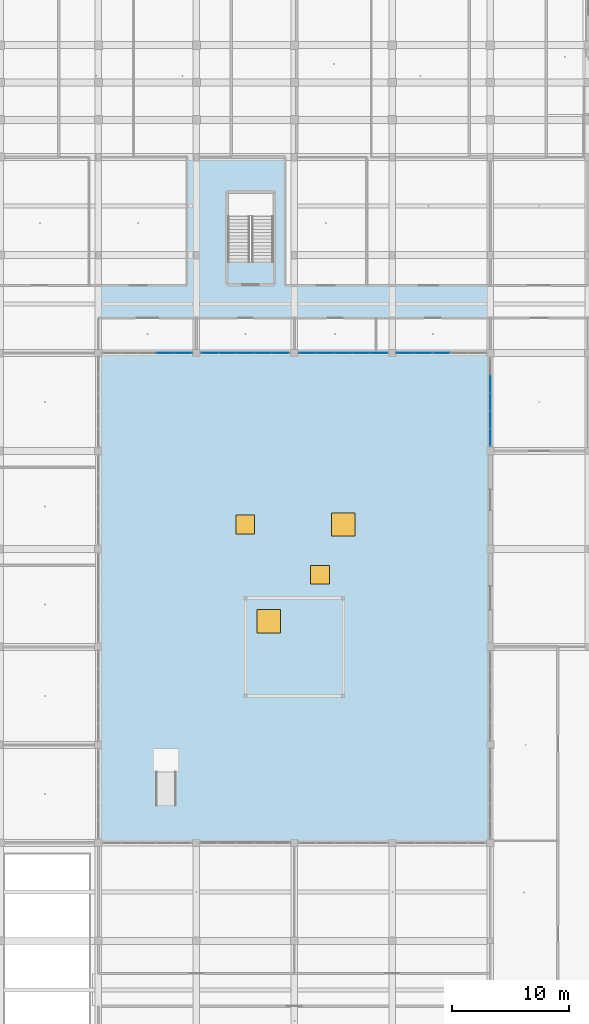
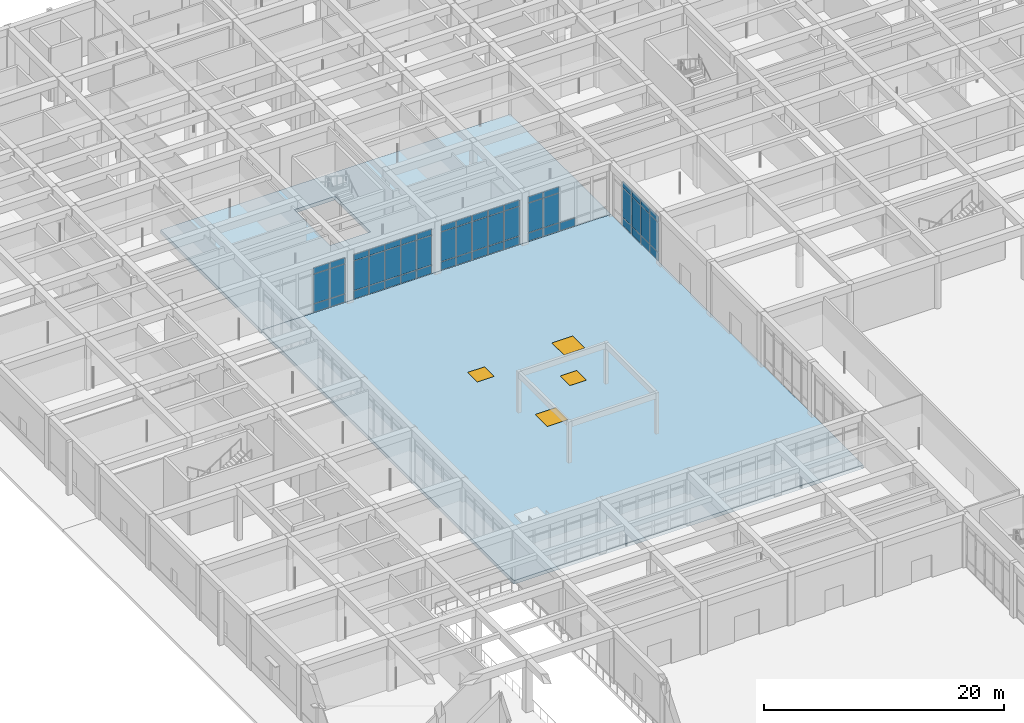
# One storey, part 51 of 167: 55 plates, 4 windows, 2 slabs, 4 openings, 5 elements without a shape of their own.
"""IFC4 building model written with IfcOpenShell, lengths in metres."""

from ifc_helpers import new_model, si_unit, direction, frame, origin, origin_2d, place, context, subcontext, project, spatial, polyline, rectangle, outline, extrude, material, layer, layer_set, type_object, element, fill, aggregate, save


model = new_model("IFC4")

# Units and contexts
model_context = context("Model", 3, precision=1e-05, world=origin(), true_north=direction((0.0, 1.0)))
body_context = subcontext(model_context, "Body", "Model", "MODEL_VIEW")
ifc_project = project(units=[si_unit("LENGTHUNIT", "METRE"), si_unit("AREAUNIT", "SQUARE_METRE"), si_unit("VOLUMEUNIT", "CUBIC_METRE"), si_unit("PLANEANGLEUNIT", "RADIAN"), si_unit("MASSUNIT", "GRAM", prefix="KILO")], contexts=[model_context])

# Site, building, storey
site_placement = place(None, origin())
site = spatial("IfcSite", under=ifc_project, at=site_placement, CompositionType="ELEMENT")
building_placement = place(site_placement, origin())
building = spatial("IfcBuilding", under=site, at=building_placement, Name="Varncliffe General Hospital", CompositionType="ELEMENT")
storey_placement = place(building_placement, origin())
storey = spatial("IfcBuildingStorey", under=building, at=storey_placement, Name="L00", CompositionType="ELEMENT", Elevation=0.0)

# Curtain wall, plates
ifc_material_1 = material(Name="Triple low-E argon insulated vision glazing", Category="glass")
curtain_wall_type_1 = type_object("IfcCurtainWallType", Name="Unitised Glazed Curtain Wall CW26 (7594x4640)", PredefinedType="USERDEFINED", material=ifc_material_1)
curtain_wall_1_placement = place(storey_placement, origin())
curtain_wall_1 = element("IfcCurtainWall", 1, at=curtain_wall_1_placement, inside=storey, type_object=curtain_wall_type_1, Name="L00 Glazed Curtain Wall CW26-23", ObjectType="GLAZED CURTAIN WALL", PredefinedType="USERDEFINED")
ifc_layer_1 = layer(ifc_material_1, 0.0439453125)
ifc_layer_set_1 = layer_set([ifc_layer_1], Name="Triple low-E argon insulated vision glazing")
plate_type_1 = type_object("IfcPlateType", Name="Curtain Wall Glazing Panel CP12 (44mm)", PredefinedType="CURTAIN_PANEL", material=ifc_layer_set_1)
plate_1_placement = place(storey_placement, frame((58.800048828125, 75.57861328125, 0.06005859375), z_axis=(0.0, 0.0, 1.0), x_axis=(0.0, 1.0, 0.0)))
plate_1 = element("IfcPlate", 2, at=plate_1_placement, type_object=plate_type_1, Name="CW26 panel 1.1", PredefinedType="CURTAIN_PANEL", context=body_context, shape_type="SweptSolid", body=[
    extrude(rectangle(XDim=1.42138671875, YDim=0.0439453125, at=origin_2d()), origin(), (0.0, 0.0, 1.0), 0.81005859375),
])
plate_2_placement = place(storey_placement, frame((58.800048828125, 75.57861328125, 0.929931640625), z_axis=(0.0, 0.0, 1.0), x_axis=(0.0, 1.0, 0.0)))
plate_2 = element("IfcPlate", 3, at=plate_2_placement, type_object=plate_type_1, Name="CW26 panel 1.2", PredefinedType="CURTAIN_PANEL", context=body_context, shape_type="SweptSolid", body=[
    extrude(rectangle(XDim=1.42138671875, YDim=0.0439453125, at=origin_2d()), origin(), (0.0, 0.0, 1.0), 2.97998046875),
])
plate_3_placement = place(storey_placement, frame((58.800048828125, 75.57861328125, 3.9697265625), z_axis=(0.0, 0.0, 1.0), x_axis=(0.0, 1.0, 0.0)))
plate_3 = element("IfcPlate", 4, at=plate_3_placement, type_object=plate_type_1, Name="CW26 panel 1.3", PredefinedType="CURTAIN_PANEL", context=body_context, shape_type="SweptSolid", body=[
    extrude(rectangle(XDim=1.42138671875, YDim=0.0439453125, at=origin_2d()), origin(), (0.0, 0.0, 1.0), 0.610107421875),
])
plate_4_placement = place(storey_placement, frame((58.800048828125, 77.081298828125, 0.06005859375), z_axis=(0.0, 0.0, 1.0), x_axis=(0.0, 1.0, 0.0)))
plate_4 = element("IfcPlate", 5, at=plate_4_placement, type_object=plate_type_1, Name="CW26 panel 2.1", PredefinedType="CURTAIN_PANEL", context=body_context, shape_type="SweptSolid", body=[
    extrude(rectangle(XDim=1.453857421875, YDim=0.0439453125, at=origin_2d()), origin(), (0.0, 0.0, 1.0), 0.81005859375),
])
plate_5_placement = place(storey_placement, frame((58.800048828125, 77.081298828125, 0.929931640625), z_axis=(0.0, 0.0, 1.0), x_axis=(0.0, 1.0, 0.0)))
plate_5 = element("IfcPlate", 6, at=plate_5_placement, type_object=plate_type_1, Name="CW26 panel 2.2", PredefinedType="CURTAIN_PANEL", context=body_context, shape_type="SweptSolid", body=[
    extrude(rectangle(XDim=1.453857421875, YDim=0.0439453125, at=origin_2d()), origin(), (0.0, 0.0, 1.0), 2.97998046875),
])
plate_6_placement = place(storey_placement, frame((58.800048828125, 77.081298828125, 3.9697265625), z_axis=(0.0, 0.0, 1.0), x_axis=(0.0, 1.0, 0.0)))
plate_6 = element("IfcPlate", 7, at=plate_6_placement, type_object=plate_type_1, Name="CW26 panel 2.3", PredefinedType="CURTAIN_PANEL", context=body_context, shape_type="SweptSolid", body=[
    extrude(rectangle(XDim=1.453857421875, YDim=0.0439453125, at=origin_2d()), origin(), (0.0, 0.0, 1.0), 0.610107421875),
])
plate_7_placement = place(storey_placement, frame((58.800048828125, 78.60009765625, 0.06005859375), z_axis=(0.0, 0.0, 1.0), x_axis=(0.0, 1.0, 0.0)))
plate_7 = element("IfcPlate", 8, at=plate_7_placement, type_object=plate_type_1, Name="CW26 panel 3.1", PredefinedType="CURTAIN_PANEL", context=body_context, shape_type="SweptSolid", body=[
    extrude(rectangle(XDim=1.453857421875, YDim=0.0439453125, at=origin_2d()), origin(), (0.0, 0.0, 1.0), 0.81005859375),
])
plate_8_placement = place(storey_placement, frame((58.800048828125, 78.60009765625, 0.929931640625), z_axis=(0.0, 0.0, 1.0), x_axis=(0.0, 1.0, 0.0)))
plate_8 = element("IfcPlate", 9, at=plate_8_placement, type_object=plate_type_1, Name="CW26 panel 3.2", PredefinedType="CURTAIN_PANEL", context=body_context, shape_type="SweptSolid", body=[
    extrude(rectangle(XDim=1.453857421875, YDim=0.0439453125, at=origin_2d()), origin(), (0.0, 0.0, 1.0), 2.97998046875),
])
plate_9_placement = place(storey_placement, frame((58.800048828125, 78.60009765625, 3.9697265625), z_axis=(0.0, 0.0, 1.0), x_axis=(0.0, 1.0, 0.0)))
plate_9 = element("IfcPlate", 10, at=plate_9_placement, type_object=plate_type_1, Name="CW26 panel 3.3", PredefinedType="CURTAIN_PANEL", context=body_context, shape_type="SweptSolid", body=[
    extrude(rectangle(XDim=1.453857421875, YDim=0.0439453125, at=origin_2d()), origin(), (0.0, 0.0, 1.0), 0.610107421875),
])
plate_10_placement = place(storey_placement, frame((58.800048828125, 80.118896484375, 0.06005859375), z_axis=(0.0, 0.0, 1.0), x_axis=(0.0, 1.0, 0.0)))
plate_10 = element("IfcPlate", 11, at=plate_10_placement, type_object=plate_type_1, Name="CW26 panel 4.1", PredefinedType="CURTAIN_PANEL", context=body_context, shape_type="SweptSolid", body=[
    extrude(rectangle(XDim=1.453857421875, YDim=0.0439453125, at=origin_2d()), origin(), (0.0, 0.0, 1.0), 0.81005859375),
])
plate_11_placement = place(storey_placement, frame((58.800048828125, 80.118896484375, 0.929931640625), z_axis=(0.0, 0.0, 1.0), x_axis=(0.0, 1.0, 0.0)))
plate_11 = element("IfcPlate", 12, at=plate_11_placement, type_object=plate_type_1, Name="CW26 panel 4.2", PredefinedType="CURTAIN_PANEL", context=body_context, shape_type="SweptSolid", body=[
    extrude(rectangle(XDim=1.453857421875, YDim=0.0439453125, at=origin_2d()), origin(), (0.0, 0.0, 1.0), 2.97998046875),
])
plate_12_placement = place(storey_placement, frame((58.800048828125, 80.118896484375, 3.9697265625), z_axis=(0.0, 0.0, 1.0), x_axis=(0.0, 1.0, 0.0)))
plate_12 = element("IfcPlate", 13, at=plate_12_placement, type_object=plate_type_1, Name="CW26 panel 4.3", PredefinedType="CURTAIN_PANEL", context=body_context, shape_type="SweptSolid", body=[
    extrude(rectangle(XDim=1.453857421875, YDim=0.0439453125, at=origin_2d()), origin(), (0.0, 0.0, 1.0), 0.610107421875),
])
aggregate(curtain_wall_1, [plate_1, plate_2, plate_3, plate_4, plate_5, plate_6, plate_7, plate_8, plate_9, plate_10, plate_11, plate_12])

curtain_wall_2_placement = place(storey_placement, origin())
curtain_wall_2 = element("IfcCurtainWall", 14, at=curtain_wall_2_placement, inside=storey, type_object=curtain_wall_type_1, Name="L00 Glazed Curtain Wall CW26-26", ObjectType="GLAZED CURTAIN WALL", PredefinedType="USERDEFINED")
plate_13_placement = place(storey_placement, frame((40.8212890625, 82.800048828125, 0.06005859375), z_axis=(0.0, 0.0, 1.0), x_axis=(-1.0, 0.0, 0.0)))
plate_13 = element("IfcPlate", 15, at=plate_13_placement, type_object=plate_type_1, Name="CW26 panel 1.1", PredefinedType="CURTAIN_PANEL", context=body_context, shape_type="SweptSolid", body=[
    extrude(rectangle(XDim=1.42138671875, YDim=0.0439453125, at=origin_2d()), origin(), (0.0, 0.0, 1.0), 0.81005859375),
])
plate_14_placement = place(storey_placement, frame((40.8212890625, 82.800048828125, 0.929931640625), z_axis=(0.0, 0.0, 1.0), x_axis=(-1.0, 0.0, 0.0)))
plate_14 = element("IfcPlate", 16, at=plate_14_placement, type_object=plate_type_1, Name="CW26 panel 1.2", PredefinedType="CURTAIN_PANEL", context=body_context, shape_type="SweptSolid", body=[
    extrude(rectangle(XDim=1.42138671875, YDim=0.0439453125, at=origin_2d()), origin(), (0.0, 0.0, 1.0), 2.97998046875),
])
plate_15_placement = place(storey_placement, frame((40.8212890625, 82.800048828125, 3.9697265625), z_axis=(0.0, 0.0, 1.0), x_axis=(-1.0, 0.0, 0.0)))
plate_15 = element("IfcPlate", 17, at=plate_15_placement, type_object=plate_type_1, Name="CW26 panel 1.3", PredefinedType="CURTAIN_PANEL", context=body_context, shape_type="SweptSolid", body=[
    extrude(rectangle(XDim=1.42138671875, YDim=0.0439453125, at=origin_2d()), origin(), (0.0, 0.0, 1.0), 0.610107421875),
])
plate_16_placement = place(storey_placement, frame((39.31884765625, 82.800048828125, 0.06005859375), z_axis=(0.0, 0.0, 1.0), x_axis=(-1.0, 0.0, 0.0)))
plate_16 = element("IfcPlate", 18, at=plate_16_placement, type_object=plate_type_1, Name="CW26 panel 2.1", PredefinedType="CURTAIN_PANEL", context=body_context, shape_type="SweptSolid", body=[
    extrude(rectangle(XDim=1.453857421875, YDim=0.0439453125, at=origin_2d()), origin(), (0.0, 0.0, 1.0), 0.81005859375),
])
plate_17_placement = place(storey_placement, frame((39.31884765625, 82.800048828125, 0.929931640625), z_axis=(0.0, 0.0, 1.0), x_axis=(-1.0, 0.0, 0.0)))
plate_17 = element("IfcPlate", 19, at=plate_17_placement, type_object=plate_type_1, Name="CW26 panel 2.2", PredefinedType="CURTAIN_PANEL", context=body_context, shape_type="SweptSolid", body=[
    extrude(rectangle(XDim=1.453857421875, YDim=0.0439453125, at=origin_2d()), origin(), (0.0, 0.0, 1.0), 2.97998046875),
])
plate_18_placement = place(storey_placement, frame((39.31884765625, 82.800048828125, 3.9697265625), z_axis=(0.0, 0.0, 1.0), x_axis=(-1.0, 0.0, 0.0)))
plate_18 = element("IfcPlate", 20, at=plate_18_placement, type_object=plate_type_1, Name="CW26 panel 2.3", PredefinedType="CURTAIN_PANEL", context=body_context, shape_type="SweptSolid", body=[
    extrude(rectangle(XDim=1.453857421875, YDim=0.0439453125, at=origin_2d()), origin(), (0.0, 0.0, 1.0), 0.610107421875),
])
plate_19_placement = place(storey_placement, frame((37.800048828125, 82.800048828125, 0.06005859375), z_axis=(0.0, 0.0, 1.0), x_axis=(-1.0, 0.0, 0.0)))
plate_19 = element("IfcPlate", 21, at=plate_19_placement, type_object=plate_type_1, Name="CW26 panel 3.1", PredefinedType="CURTAIN_PANEL", context=body_context, shape_type="SweptSolid", body=[
    extrude(rectangle(XDim=1.453857421875, YDim=0.0439453125, at=origin_2d()), origin(), (0.0, 0.0, 1.0), 0.81005859375),
])
plate_20_placement = place(storey_placement, frame((37.800048828125, 82.800048828125, 0.929931640625), z_axis=(0.0, 0.0, 1.0), x_axis=(-1.0, 0.0, 0.0)))
plate_20 = element("IfcPlate", 22, at=plate_20_placement, type_object=plate_type_1, Name="CW26 panel 3.2", PredefinedType="CURTAIN_PANEL", context=body_context, shape_type="SweptSolid", body=[
    extrude(rectangle(XDim=1.453857421875, YDim=0.0439453125, at=origin_2d()), origin(), (0.0, 0.0, 1.0), 2.97998046875),
])
plate_21_placement = place(storey_placement, frame((37.800048828125, 82.800048828125, 3.9697265625), z_axis=(0.0, 0.0, 1.0), x_axis=(-1.0, 0.0, 0.0)))
plate_21 = element("IfcPlate", 23, at=plate_21_placement, type_object=plate_type_1, Name="CW26 panel 3.3", PredefinedType="CURTAIN_PANEL", context=body_context, shape_type="SweptSolid", body=[
    extrude(rectangle(XDim=1.453857421875, YDim=0.0439453125, at=origin_2d()), origin(), (0.0, 0.0, 1.0), 0.610107421875),
])
plate_22_placement = place(storey_placement, frame((36.28125, 82.800048828125, 0.06005859375), z_axis=(0.0, 0.0, 1.0), x_axis=(-1.0, 0.0, 0.0)))
plate_22 = element("IfcPlate", 24, at=plate_22_placement, type_object=plate_type_1, Name="CW26 panel 4.1", PredefinedType="CURTAIN_PANEL", context=body_context, shape_type="SweptSolid", body=[
    extrude(rectangle(XDim=1.453857421875, YDim=0.0439453125, at=origin_2d()), origin(), (0.0, 0.0, 1.0), 0.81005859375),
])
plate_23_placement = place(storey_placement, frame((36.28125, 82.800048828125, 0.929931640625), z_axis=(0.0, 0.0, 1.0), x_axis=(-1.0, 0.0, 0.0)))
plate_23 = element("IfcPlate", 25, at=plate_23_placement, type_object=plate_type_1, Name="CW26 panel 4.2", PredefinedType="CURTAIN_PANEL", context=body_context, shape_type="SweptSolid", body=[
    extrude(rectangle(XDim=1.453857421875, YDim=0.0439453125, at=origin_2d()), origin(), (0.0, 0.0, 1.0), 2.97998046875),
])
plate_24_placement = place(storey_placement, frame((36.28125, 82.800048828125, 3.9697265625), z_axis=(0.0, 0.0, 1.0), x_axis=(-1.0, 0.0, 0.0)))
plate_24 = element("IfcPlate", 26, at=plate_24_placement, type_object=plate_type_1, Name="CW26 panel 4.3", PredefinedType="CURTAIN_PANEL", context=body_context, shape_type="SweptSolid", body=[
    extrude(rectangle(XDim=1.453857421875, YDim=0.0439453125, at=origin_2d()), origin(), (0.0, 0.0, 1.0), 0.610107421875),
])
plate_25_placement = place(storey_placement, frame((34.778564453125, 82.800048828125, 0.06005859375), z_axis=(0.0, 0.0, 1.0), x_axis=(-1.0, 0.0, 0.0)))
plate_25 = element("IfcPlate", 27, at=plate_25_placement, type_object=plate_type_1, Name="CW26 panel 5.1", PredefinedType="CURTAIN_PANEL", context=body_context, shape_type="SweptSolid", body=[
    extrude(rectangle(XDim=1.42138671875, YDim=0.0439453125, at=origin_2d()), origin(), (0.0, 0.0, 1.0), 0.81005859375),
])
plate_26_placement = place(storey_placement, frame((34.778564453125, 82.800048828125, 0.929931640625), z_axis=(0.0, 0.0, 1.0), x_axis=(-1.0, 0.0, 0.0)))
plate_26 = element("IfcPlate", 28, at=plate_26_placement, type_object=plate_type_1, Name="CW26 panel 5.2", PredefinedType="CURTAIN_PANEL", context=body_context, shape_type="SweptSolid", body=[
    extrude(rectangle(XDim=1.42138671875, YDim=0.0439453125, at=origin_2d()), origin(), (0.0, 0.0, 1.0), 2.97998046875),
])
plate_27_placement = place(storey_placement, frame((34.778564453125, 82.800048828125, 3.9697265625), z_axis=(0.0, 0.0, 1.0), x_axis=(-1.0, 0.0, 0.0)))
plate_27 = element("IfcPlate", 29, at=plate_27_placement, type_object=plate_type_1, Name="CW26 panel 5.3", PredefinedType="CURTAIN_PANEL", context=body_context, shape_type="SweptSolid", body=[
    extrude(rectangle(XDim=1.42138671875, YDim=0.0439453125, at=origin_2d()), origin(), (0.0, 0.0, 1.0), 0.610107421875),
])
aggregate(curtain_wall_2, [plate_13, plate_14, plate_15, plate_16, plate_17, plate_18, plate_19, plate_20, plate_21, plate_22, plate_23, plate_24, plate_25, plate_26, plate_27])

curtain_wall_type_2 = type_object("IfcCurtainWallType", Name="Unitised Glazed Curtain Wall CW15 (7674x4640)", PredefinedType="USERDEFINED", material=ifc_material_1)
curtain_wall_3_placement = place(storey_placement, origin())
curtain_wall_3 = element("IfcCurtainWall", 30, at=curtain_wall_3_placement, inside=storey, type_object=curtain_wall_type_2, Name="L00 Glazed Curtain Wall CW15-25", ObjectType="GLAZED CURTAIN WALL", PredefinedType="USERDEFINED")
ifc_layer_2 = layer(ifc_material_1, 0.035888671875)
ifc_layer_set_2 = layer_set([ifc_layer_2], Name="Triple low-E argon insulated vision glazing")
plate_type_2 = type_object("IfcPlateType", Name="Curtain Wall Glazing Panel CP27 (36mm)", PredefinedType="CURTAIN_PANEL", material=ifc_layer_set_2)
plate_28_placement = place(storey_placement, frame((49.250732421875, 82.800048828125, 0.06005859375), z_axis=(0.0, 0.0, 1.0), x_axis=(-1.0, 0.0, 0.0)))
plate_28 = element("IfcPlate", 31, at=plate_28_placement, type_object=plate_type_2, Name="CW15 panel 1.1", PredefinedType="CURTAIN_PANEL", context=body_context, shape_type="SweptSolid", body=[
    extrude(rectangle(XDim=1.42236328125, YDim=0.035888671875, at=origin_2d()), origin(), (0.0, 0.0, 1.0), 0.81005859375),
])
plate_29_placement = place(storey_placement, frame((49.250732421875, 82.800048828125, 0.929931640625), z_axis=(0.0, 0.0, 1.0), x_axis=(-1.0, 0.0, 0.0)))
plate_29 = element("IfcPlate", 32, at=plate_29_placement, type_object=plate_type_2, Name="CW15 panel 1.2", PredefinedType="CURTAIN_PANEL", context=body_context, shape_type="SweptSolid", body=[
    extrude(rectangle(XDim=1.42236328125, YDim=0.035888671875, at=origin_2d()), origin(), (0.0, 0.0, 1.0), 2.97998046875),
])
plate_30_placement = place(storey_placement, frame((49.250732421875, 82.800048828125, 3.9697265625), z_axis=(0.0, 0.0, 1.0), x_axis=(-1.0, 0.0, 0.0)))
plate_30 = element("IfcPlate", 33, at=plate_30_placement, type_object=plate_type_2, Name="CW15 panel 1.3", PredefinedType="CURTAIN_PANEL", context=body_context, shape_type="SweptSolid", body=[
    extrude(rectangle(XDim=1.42236328125, YDim=0.035888671875, at=origin_2d()), origin(), (0.0, 0.0, 1.0), 0.610107421875),
])
plate_31_placement = place(storey_placement, frame((47.73486328125, 82.800048828125, 0.06005859375), z_axis=(0.0, 0.0, 1.0), x_axis=(-1.0, 0.0, 0.0)))
plate_31 = element("IfcPlate", 34, at=plate_31_placement, type_object=plate_type_2, Name="CW15 panel 2.1", PredefinedType="CURTAIN_PANEL", context=body_context, shape_type="SweptSolid", body=[
    extrude(rectangle(XDim=1.459716796875, YDim=0.035888671875, at=origin_2d()), origin(), (0.0, 0.0, 1.0), 0.81005859375),
])
plate_32_placement = place(storey_placement, frame((47.73486328125, 82.800048828125, 0.929931640625), z_axis=(0.0, 0.0, 1.0), x_axis=(-1.0, 0.0, 0.0)))
plate_32 = element("IfcPlate", 35, at=plate_32_placement, type_object=plate_type_2, Name="CW15 panel 2.2", PredefinedType="CURTAIN_PANEL", context=body_context, shape_type="SweptSolid", body=[
    extrude(rectangle(XDim=1.459716796875, YDim=0.035888671875, at=origin_2d()), origin(), (0.0, 0.0, 1.0), 2.97998046875),
])
plate_33_placement = place(storey_placement, frame((47.73486328125, 82.800048828125, 3.9697265625), z_axis=(0.0, 0.0, 1.0), x_axis=(-1.0, 0.0, 0.0)))
plate_33 = element("IfcPlate", 36, at=plate_33_placement, type_object=plate_type_2, Name="CW15 panel 2.3", PredefinedType="CURTAIN_PANEL", context=body_context, shape_type="SweptSolid", body=[
    extrude(rectangle(XDim=1.459716796875, YDim=0.035888671875, at=origin_2d()), origin(), (0.0, 0.0, 1.0), 0.610107421875),
])
plate_34_placement = place(storey_placement, frame((46.199951171875, 82.800048828125, 0.06005859375), z_axis=(0.0, 0.0, 1.0), x_axis=(-1.0, 0.0, 0.0)))
plate_34 = element("IfcPlate", 37, at=plate_34_placement, type_object=plate_type_2, Name="CW15 panel 3.1", PredefinedType="CURTAIN_PANEL", context=body_context, shape_type="SweptSolid", body=[
    extrude(rectangle(XDim=1.459716796875, YDim=0.035888671875, at=origin_2d()), origin(), (0.0, 0.0, 1.0), 0.81005859375),
])
plate_35_placement = place(storey_placement, frame((46.199951171875, 82.800048828125, 0.929931640625), z_axis=(0.0, 0.0, 1.0), x_axis=(-1.0, 0.0, 0.0)))
plate_35 = element("IfcPlate", 38, at=plate_35_placement, type_object=plate_type_2, Name="CW15 panel 3.2", PredefinedType="CURTAIN_PANEL", context=body_context, shape_type="SweptSolid", body=[
    extrude(rectangle(XDim=1.459716796875, YDim=0.035888671875, at=origin_2d()), origin(), (0.0, 0.0, 1.0), 2.97998046875),
])
plate_36_placement = place(storey_placement, frame((46.199951171875, 82.800048828125, 3.9697265625), z_axis=(0.0, 0.0, 1.0), x_axis=(-1.0, 0.0, 0.0)))
plate_36 = element("IfcPlate", 39, at=plate_36_placement, type_object=plate_type_2, Name="CW15 panel 3.3", PredefinedType="CURTAIN_PANEL", context=body_context, shape_type="SweptSolid", body=[
    extrude(rectangle(XDim=1.459716796875, YDim=0.035888671875, at=origin_2d()), origin(), (0.0, 0.0, 1.0), 0.610107421875),
])
plate_37_placement = place(storey_placement, frame((44.665283203125, 82.800048828125, 0.06005859375), z_axis=(0.0, 0.0, 1.0), x_axis=(-1.0, 0.0, 0.0)))
plate_37 = element("IfcPlate", 40, at=plate_37_placement, type_object=plate_type_2, Name="CW15 panel 4.1", PredefinedType="CURTAIN_PANEL", context=body_context, shape_type="SweptSolid", body=[
    extrude(rectangle(XDim=1.459716796875, YDim=0.035888671875, at=origin_2d()), origin(), (0.0, 0.0, 1.0), 0.81005859375),
])
plate_38_placement = place(storey_placement, frame((44.665283203125, 82.800048828125, 0.929931640625), z_axis=(0.0, 0.0, 1.0), x_axis=(-1.0, 0.0, 0.0)))
plate_38 = element("IfcPlate", 41, at=plate_38_placement, type_object=plate_type_2, Name="CW15 panel 4.2", PredefinedType="CURTAIN_PANEL", context=body_context, shape_type="SweptSolid", body=[
    extrude(rectangle(XDim=1.459716796875, YDim=0.035888671875, at=origin_2d()), origin(), (0.0, 0.0, 1.0), 2.97998046875),
])
plate_39_placement = place(storey_placement, frame((44.665283203125, 82.800048828125, 3.9697265625), z_axis=(0.0, 0.0, 1.0), x_axis=(-1.0, 0.0, 0.0)))
plate_39 = element("IfcPlate", 42, at=plate_39_placement, type_object=plate_type_2, Name="CW15 panel 4.3", PredefinedType="CURTAIN_PANEL", context=body_context, shape_type="SweptSolid", body=[
    extrude(rectangle(XDim=1.459716796875, YDim=0.035888671875, at=origin_2d()), origin(), (0.0, 0.0, 1.0), 0.610107421875),
])
plate_40_placement = place(storey_placement, frame((43.149169921875, 82.800048828125, 0.06005859375), z_axis=(0.0, 0.0, 1.0), x_axis=(-1.0, 0.0, 0.0)))
plate_40 = element("IfcPlate", 43, at=plate_40_placement, type_object=plate_type_2, Name="CW15 panel 5.1", PredefinedType="CURTAIN_PANEL", context=body_context, shape_type="SweptSolid", body=[
    extrude(rectangle(XDim=1.42236328125, YDim=0.035888671875, at=origin_2d()), origin(), (0.0, 0.0, 1.0), 0.81005859375),
])
plate_41_placement = place(storey_placement, frame((43.149169921875, 82.800048828125, 0.929931640625), z_axis=(0.0, 0.0, 1.0), x_axis=(-1.0, 0.0, 0.0)))
plate_41 = element("IfcPlate", 44, at=plate_41_placement, type_object=plate_type_2, Name="CW15 panel 5.2", PredefinedType="CURTAIN_PANEL", context=body_context, shape_type="SweptSolid", body=[
    extrude(rectangle(XDim=1.42236328125, YDim=0.035888671875, at=origin_2d()), origin(), (0.0, 0.0, 1.0), 2.97998046875),
])
plate_42_placement = place(storey_placement, frame((43.149169921875, 82.800048828125, 3.9697265625), z_axis=(0.0, 0.0, 1.0), x_axis=(-1.0, 0.0, 0.0)))
plate_42 = element("IfcPlate", 45, at=plate_42_placement, type_object=plate_type_2, Name="CW15 panel 5.3", PredefinedType="CURTAIN_PANEL", context=body_context, shape_type="SweptSolid", body=[
    extrude(rectangle(XDim=1.42236328125, YDim=0.035888671875, at=origin_2d()), origin(), (0.0, 0.0, 1.0), 0.610107421875),
])
aggregate(curtain_wall_3, [plate_28, plate_29, plate_30, plate_31, plate_32, plate_33, plate_34, plate_35, plate_36, plate_37, plate_38, plate_39, plate_40, plate_41, plate_42])

curtain_wall_type_3 = type_object("IfcCurtainWallType", Name="Unitised Glazed Curtain Wall CW66 (7754x4640)", PredefinedType="USERDEFINED", material=ifc_material_1)
curtain_wall_4_placement = place(storey_placement, origin())
curtain_wall_4 = element("IfcCurtainWall", 46, at=curtain_wall_4_placement, inside=storey, type_object=curtain_wall_type_3, Name="L00 Glazed Curtain Wall CW66-24", ObjectType="GLAZED CURTAIN WALL", PredefinedType="USERDEFINED")
ifc_layer_3 = layer(ifc_material_1, 0.028076171875)
ifc_layer_set_3 = layer_set([ifc_layer_3], Name="Triple low-E argon insulated vision glazing")
plate_type_3 = type_object("IfcPlateType", Name="Curtain Wall Glazing Panel CP48 (28mm)", PredefinedType="CURTAIN_PANEL", material=ifc_layer_set_3)
plate_43_placement = place(storey_placement, frame((54.60009765625, 82.800048828125, 0.06494140625), z_axis=(0.0, 0.0, 1.0), x_axis=(-1.0, 0.0, 0.0)))
plate_43 = element("IfcPlate", 47, at=plate_43_placement, type_object=plate_type_3, Name="CW66 panel 3.1", PredefinedType="CURTAIN_PANEL", context=body_context, shape_type="SweptSolid", body=[
    extrude(rectangle(XDim=1.475830078125, YDim=0.028076171875, at=origin_2d()), origin(), (0.0, 0.0, 1.0), 0.802490234375),
])
plate_44_placement = place(storey_placement, frame((53.04931640625, 82.800048828125, 0.06494140625), z_axis=(0.0, 0.0, 1.0), x_axis=(-1.0, 0.0, 0.0)))
plate_44 = element("IfcPlate", 48, at=plate_44_placement, type_object=plate_type_3, Name="CW66 panel 4.1", PredefinedType="CURTAIN_PANEL", context=body_context, shape_type="SweptSolid", body=[
    extrude(rectangle(XDim=1.475830078125, YDim=0.028076171875, at=origin_2d()), origin(), (0.0, 0.0, 1.0), 0.802490234375),
])
plate_45_placement = place(storey_placement, frame((53.04931640625, 82.800048828125, 0.932373046875), z_axis=(0.0, 0.0, 1.0), x_axis=(-1.0, 0.0, 0.0)))
plate_45 = element("IfcPlate", 49, at=plate_45_placement, type_object=plate_type_3, Name="CW66 panel 4.2", PredefinedType="CURTAIN_PANEL", context=body_context, shape_type="SweptSolid", body=[
    extrude(rectangle(XDim=1.475830078125, YDim=0.028076171875, at=origin_2d()), origin(), (0.0, 0.0, 1.0), 2.97509765625),
])
plate_46_placement = place(storey_placement, frame((53.04931640625, 82.800048828125, 3.972412109375), z_axis=(0.0, 0.0, 1.0), x_axis=(-1.0, 0.0, 0.0)))
plate_46 = element("IfcPlate", 50, at=plate_46_placement, type_object=plate_type_3, Name="CW66 panel 4.3", PredefinedType="CURTAIN_PANEL", context=body_context, shape_type="SweptSolid", body=[
    extrude(rectangle(XDim=1.475830078125, YDim=0.028076171875, at=origin_2d()), origin(), (0.0, 0.0, 1.0), 0.6025390625),
])
plate_47_placement = place(storey_placement, frame((51.51708984375, 82.800048828125, 0.06494140625), z_axis=(0.0, 0.0, 1.0), x_axis=(-1.0, 0.0, 0.0)))
plate_47 = element("IfcPlate", 51, at=plate_47_placement, type_object=plate_type_3, Name="CW66 panel 5.1", PredefinedType="CURTAIN_PANEL", context=body_context, shape_type="SweptSolid", body=[
    extrude(rectangle(XDim=1.438232421875, YDim=0.028076171875, at=origin_2d()), origin(), (0.0, 0.0, 1.0), 0.802490234375),
])
plate_48_placement = place(storey_placement, frame((51.51708984375, 82.800048828125, 0.932373046875), z_axis=(0.0, 0.0, 1.0), x_axis=(-1.0, 0.0, 0.0)))
plate_48 = element("IfcPlate", 52, at=plate_48_placement, type_object=plate_type_3, Name="CW66 panel 5.2", PredefinedType="CURTAIN_PANEL", context=body_context, shape_type="SweptSolid", body=[
    extrude(rectangle(XDim=1.438232421875, YDim=0.028076171875, at=origin_2d()), origin(), (0.0, 0.0, 1.0), 2.97509765625),
])
plate_49_placement = place(storey_placement, frame((51.51708984375, 82.800048828125, 3.972412109375), z_axis=(0.0, 0.0, 1.0), x_axis=(-1.0, 0.0, 0.0)))
plate_49 = element("IfcPlate", 53, at=plate_49_placement, type_object=plate_type_3, Name="CW66 panel 5.3", PredefinedType="CURTAIN_PANEL", context=body_context, shape_type="SweptSolid", body=[
    extrude(rectangle(XDim=1.438232421875, YDim=0.028076171875, at=origin_2d()), origin(), (0.0, 0.0, 1.0), 0.6025390625),
])
aggregate(curtain_wall_4, [plate_43, plate_44, plate_45, plate_46, plate_47, plate_48, plate_49])

curtain_wall_5_placement = place(storey_placement, origin())
curtain_wall_5 = element("IfcCurtainWall", 54, at=curtain_wall_5_placement, inside=storey, type_object=curtain_wall_type_3, Name="L00 Glazed Curtain Wall CW66-27", ObjectType="GLAZED CURTAIN WALL", PredefinedType="USERDEFINED")
plate_50_placement = place(storey_placement, frame((32.48291015625, 82.800048828125, 0.06494140625), z_axis=(0.0, 0.0, 1.0), x_axis=(-1.0, 0.0, 0.0)))
plate_50 = element("IfcPlate", 55, at=plate_50_placement, type_object=plate_type_3, Name="CW66 panel 1.1", PredefinedType="CURTAIN_PANEL", context=body_context, shape_type="SweptSolid", body=[
    extrude(rectangle(XDim=1.438232421875, YDim=0.028076171875, at=origin_2d()), origin(), (0.0, 0.0, 1.0), 0.802490234375),
])
plate_51_placement = place(storey_placement, frame((32.48291015625, 82.800048828125, 0.932373046875), z_axis=(0.0, 0.0, 1.0), x_axis=(-1.0, 0.0, 0.0)))
plate_51 = element("IfcPlate", 56, at=plate_51_placement, type_object=plate_type_3, Name="CW66 panel 1.2", PredefinedType="CURTAIN_PANEL", context=body_context, shape_type="SweptSolid", body=[
    extrude(rectangle(XDim=1.438232421875, YDim=0.028076171875, at=origin_2d()), origin(), (0.0, 0.0, 1.0), 2.97509765625),
])
plate_52_placement = place(storey_placement, frame((32.48291015625, 82.800048828125, 3.972412109375), z_axis=(0.0, 0.0, 1.0), x_axis=(-1.0, 0.0, 0.0)))
plate_52 = element("IfcPlate", 57, at=plate_52_placement, type_object=plate_type_3, Name="CW66 panel 1.3", PredefinedType="CURTAIN_PANEL", context=body_context, shape_type="SweptSolid", body=[
    extrude(rectangle(XDim=1.438232421875, YDim=0.028076171875, at=origin_2d()), origin(), (0.0, 0.0, 1.0), 0.6025390625),
])
plate_53_placement = place(storey_placement, frame((30.95068359375, 82.800048828125, 0.06494140625), z_axis=(0.0, 0.0, 1.0), x_axis=(-1.0, 0.0, 0.0)))
plate_53 = element("IfcPlate", 58, at=plate_53_placement, type_object=plate_type_3, Name="CW66 panel 2.1", PredefinedType="CURTAIN_PANEL", context=body_context, shape_type="SweptSolid", body=[
    extrude(rectangle(XDim=1.475830078125, YDim=0.028076171875, at=origin_2d()), origin(), (0.0, 0.0, 1.0), 0.802490234375),
])
plate_54_placement = place(storey_placement, frame((30.95068359375, 82.800048828125, 0.932373046875), z_axis=(0.0, 0.0, 1.0), x_axis=(-1.0, 0.0, 0.0)))
plate_54 = element("IfcPlate", 59, at=plate_54_placement, type_object=plate_type_3, Name="CW66 panel 2.2", PredefinedType="CURTAIN_PANEL", context=body_context, shape_type="SweptSolid", body=[
    extrude(rectangle(XDim=1.475830078125, YDim=0.028076171875, at=origin_2d()), origin(), (0.0, 0.0, 1.0), 2.97509765625),
])
plate_55_placement = place(storey_placement, frame((30.95068359375, 82.800048828125, 3.972412109375), z_axis=(0.0, 0.0, 1.0), x_axis=(-1.0, 0.0, 0.0)))
plate_55 = element("IfcPlate", 60, at=plate_55_placement, type_object=plate_type_3, Name="CW66 panel 2.3", PredefinedType="CURTAIN_PANEL", context=body_context, shape_type="SweptSolid", body=[
    extrude(rectangle(XDim=1.475830078125, YDim=0.028076171875, at=origin_2d()), origin(), (0.0, 0.0, 1.0), 0.6025390625),
])
aggregate(curtain_wall_5, [plate_50, plate_51, plate_52, plate_53, plate_54, plate_55])

# Slab, openings, windows
ifc_material_2 = material(Name="Concrete C35/45 (CSA A23.1 35 MPa)", Category="concrete")
ifc_layer_4 = layer(ifc_material_2, 0.360107421875)
ifc_layer_set_4 = layer_set([ifc_layer_4], Name="Concrete C35/45 (CSA A23.1 35 MPa)")
slab_type_1 = type_object("IfcSlabType", Name="Floor Slab SL17 (Ext 360mm)", PredefinedType="FLOOR", material=ifc_layer_set_4)
slab_1_placement = place(storey_placement, frame((0.0, 0.0, -0.360107421875)))
slab_1 = element("IfcSlab", 61, at=slab_1_placement, inside=storey, type_object=slab_type_1, Name="L00 West Healing Cloister Courtyard Deck", PredefinedType="FLOOR", context=body_context, shape_type="SweptSolid", body=[
    extrude(outline(polyline([(25.199951171875, 40.800048828125), (58.800048828125, 40.800048828125), (58.800048828125, 82.800048828125), (25.199951171875, 82.800048828125), (25.199951171875, 40.800048828125)])), origin(), (0.0, 0.0, 1.0), 0.360107421875),
])
opening_1_placement = place(slab_1_placement, frame((39.800048828125, 59.800048828125, 0.0)))
opening_1 = element("IfcOpeningElement", 62, at=opening_1_placement, cuts=slab_1, Name="Opening SK25", PredefinedType="OPENING", context=body_context, shape_type="SweptSolid", body=[
    extrude(rectangle(XDim=2.0, YDim=2.0, at=origin_2d()), frame((0.0, 0.0, -0.010009765625)), (0.0, 0.0, 1.0), 0.380126953125),
])
opening_2_placement = place(slab_1_placement, frame((44.199951171875, 63.800048828125, 0.0)))
opening_2 = element("IfcOpeningElement", 63, at=opening_2_placement, cuts=slab_1, Name="Opening SK67", PredefinedType="OPENING", context=body_context, shape_type="SweptSolid", body=[
    extrude(rectangle(XDim=1.60009765625, YDim=1.60009765625, at=origin_2d()), frame((0.0, 0.0, -0.010009765625)), (0.0, 0.0, 1.0), 0.380126953125),
])
opening_3_placement = place(slab_1_placement, frame((37.800048828125, 68.10009765625, 0.0)))
opening_3 = element("IfcOpeningElement", 64, at=opening_3_placement, cuts=slab_1, Name="Opening SK67", PredefinedType="OPENING", context=body_context, shape_type="SweptSolid", body=[
    extrude(rectangle(XDim=1.60009765625, YDim=1.60009765625, at=origin_2d()), frame((0.0, 0.0, -0.010009765625)), (0.0, 0.0, 1.0), 0.380126953125),
])
opening_4_placement = place(slab_1_placement, frame((46.199951171875, 68.10009765625, 0.0)))
opening_4 = element("IfcOpeningElement", 65, at=opening_4_placement, cuts=slab_1, Name="Opening SK25", PredefinedType="OPENING", context=body_context, shape_type="SweptSolid", body=[
    extrude(rectangle(XDim=2.0, YDim=2.0, at=origin_2d()), frame((0.0, 0.0, -0.010009765625)), (0.0, 0.0, 1.0), 0.380126953125),
])
window_type_1 = type_object("IfcWindowType", Name="Roof Skylight and Access Hatch SK25 (2000x2000)", PartitioningType="SINGLE_PANEL", PredefinedType="SKYLIGHT", material=ifc_material_1)
window_1_placement = place(opening_1_placement, frame((0.0, 0.0, 0.31005859375)))
window_1 = element("IfcWindow", 66, at=window_1_placement, inside=storey, type_object=window_type_1, Name="L00 Clerestory Daylight Skylight 1", OverallHeight=2.0, OverallWidth=2.0, PartitioningType="SINGLE_PANEL", PredefinedType="SKYLIGHT", context=body_context, shape_type="SweptSolid", body=[
    extrude(rectangle(XDim=2.0, YDim=2.0, at=origin_2d()), origin(), (0.0, 0.0, 1.0), 0.050048828125),
])
fill(opening_1, window_1)
window_2_placement = place(opening_4_placement, frame((0.0, 0.0, 0.31005859375)))
window_2 = element("IfcWindow", 67, at=window_2_placement, inside=storey, type_object=window_type_1, Name="L00 Clerestory Daylight Skylight 6", OverallHeight=2.0, OverallWidth=2.0, PartitioningType="SINGLE_PANEL", PredefinedType="SKYLIGHT", context=body_context, shape_type="SweptSolid", body=[
    extrude(rectangle(XDim=2.0, YDim=2.0, at=origin_2d()), origin(), (0.0, 0.0, 1.0), 0.050048828125),
])
fill(opening_4, window_2)
window_type_2 = type_object("IfcWindowType", Name="Roof Skylight and Access Hatch SK67 (1600x1600)", PartitioningType="SINGLE_PANEL", PredefinedType="SKYLIGHT", material=ifc_material_1)
window_3_placement = place(opening_2_placement, frame((0.0, 0.0, 0.31005859375)))
window_3 = element("IfcWindow", 68, at=window_3_placement, inside=storey, type_object=window_type_2, Name="L00 Clerestory Daylight Skylight 2", OverallHeight=1.60009765625, OverallWidth=1.60009765625, PartitioningType="SINGLE_PANEL", PredefinedType="SKYLIGHT", context=body_context, shape_type="SweptSolid", body=[
    extrude(rectangle(XDim=1.60009765625, YDim=1.60009765625, at=origin_2d()), origin(), (0.0, 0.0, 1.0), 0.050048828125),
])
fill(opening_2, window_3)
window_4_placement = place(opening_3_placement, frame((0.0, 0.0, 0.31005859375)))
window_4 = element("IfcWindow", 69, at=window_4_placement, inside=storey, type_object=window_type_2, Name="L00 Clerestory Daylight Skylight 5", OverallHeight=1.60009765625, OverallWidth=1.60009765625, PartitioningType="SINGLE_PANEL", PredefinedType="SKYLIGHT", context=body_context, shape_type="SweptSolid", body=[
    extrude(rectangle(XDim=1.60009765625, YDim=1.60009765625, at=origin_2d()), origin(), (0.0, 0.0, 1.0), 0.050048828125),
])
fill(opening_3, window_4)

# Slab
ifc_layer_5 = layer(ifc_material_2, 0.360107421875)
ifc_layer_set_5 = layer_set([ifc_layer_5], Name="Concrete C35/45 (CSA A23.1 35 MPa)")
slab_type_2 = type_object("IfcSlabType", Name="Floor Slab SL42 (Int 360mm)", PredefinedType="FLOOR", material=ifc_layer_set_5)
slab_2_placement = place(storey_placement, frame((0.0, 0.0, -0.360107421875)))
element("IfcSlab", 70, at=slab_2_placement, inside=storey, type_object=slab_type_2, Name="L00 V3 Structural Floor Slab 2", PredefinedType="FLOOR", context=body_context, shape_type="SweptSolid", body=[
    extrude(outline(polyline([(25.199951171875, 99.60009765625), (58.800048828125, 99.60009765625), (58.800048828125, 82.800048828125), (25.199951171875, 82.800048828125), (25.199951171875, 99.60009765625)]), holes=[polyline([(40.199951171875, 90.60009765625), (40.199951171875, 96.550048828125), (36.300048828125, 96.550048828125), (36.300048828125, 90.60009765625), (40.199951171875, 90.60009765625)])]), origin(), (0.0, 0.0, 1.0), 0.360107421875),
])

save(model, "model.ifc")
